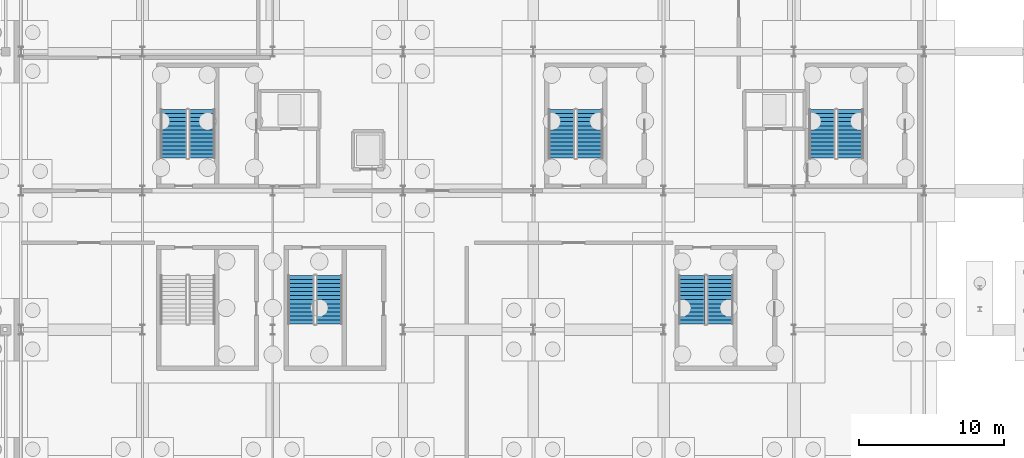
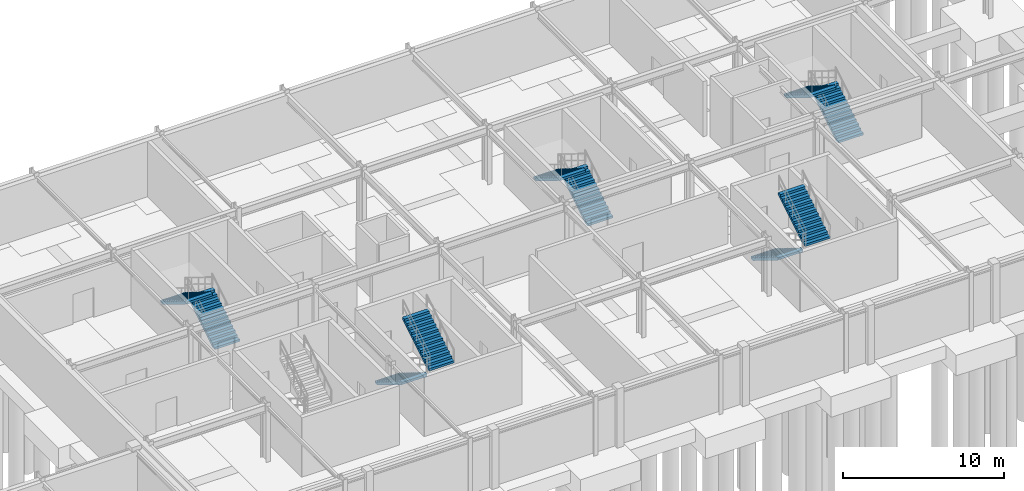
# One storey, part 48 of 59: 10 stair flights, 5 elements without a shape of their own.
"""IFC4 building model written with IfcOpenShell, lengths in metres."""

from ifc_helpers import new_model, si_unit, direction, frame, origin, place, context, subcontext, project, spatial, polyline, outline, extrude, material, type_object, element, aggregate, save


model = new_model("IFC4")

# Units and contexts
model_context = context("Model", 3, precision=1e-05, world=origin(), true_north=direction((0.0, 1.0)))
body_context = subcontext(model_context, "Body", "Model", "MODEL_VIEW")
ifc_project = project(units=[si_unit("LENGTHUNIT", "METRE"), si_unit("AREAUNIT", "SQUARE_METRE"), si_unit("VOLUMEUNIT", "CUBIC_METRE"), si_unit("PLANEANGLEUNIT", "RADIAN"), si_unit("MASSUNIT", "GRAM", prefix="KILO")], contexts=[model_context])

# Site, building, storey
site_placement = place(None, origin())
site = spatial("IfcSite", under=ifc_project, at=site_placement, CompositionType="ELEMENT")
building_placement = place(site_placement, origin())
building = spatial("IfcBuilding", under=site, at=building_placement, Name="Myrtia Square Station", CompositionType="ELEMENT")
storey_placement = place(building_placement, frame((0.0, 0.0, -4.5)))
storey = spatial("IfcBuildingStorey", under=building, at=storey_placement, Name="B01", CompositionType="ELEMENT", Elevation=-4.5)

# Stair, stair flights
ifc_material = material(Name="Concrete C35/45", Category="concrete")
stair_type = type_object("IfcStairType", Name="STR-01-26R-1800W", PredefinedType="HALF_TURN_STAIR", material=ifc_material)
stair_1_placement = place(storey_placement, origin())
stair_1 = element("IfcStair", 1, at=stair_1_placement, inside=storey, type_object=stair_type, Name="B01 Core escape stair ST07", PredefinedType="HALF_TURN_STAIR")
stair_flight_type = type_object("IfcStairFlightType", Name="STF-01-13R-1800W", PredefinedType="STRAIGHT", material=ifc_material)
stair_flight_1_placement = place(storey_placement, frame((130.110107421875, 107.85009765625, 0.0), z_axis=(0.0, 0.0, 1.0), x_axis=(0.0, 1.0, 0.0)))
stair_flight_1 = element("IfcStairFlight", 2, at=stair_flight_1_placement, type_object=stair_flight_type, Name="ST07 flight 1", NumberOfRisers=13, NumberOfTreads=12, PredefinedType="STRAIGHT", RiserHeight=0.173076923, TreadLength=0.28, context=body_context, shape_type="SweptSolid", body=[
    extrude(outline(polyline([(0.0, 0.0), (0.0, 0.173095703125), (0.280029296875, 0.173095703125), (0.280029296875, 0.34619140625), (0.56005859375, 0.34619140625), (0.56005859375, 0.519287109375), (0.840087890625, 0.519287109375), (0.840087890625, 0.6923828125), (1.1201171875, 0.6923828125), (1.1201171875, 0.865478515625), (1.39990234375, 0.865478515625), (1.39990234375, 1.03857421875), (1.679931640625, 1.03857421875), (1.679931640625, 1.21142578125), (1.9599609375, 1.21142578125), (1.9599609375, 1.384521484375), (2.239990234375, 1.384521484375), (2.239990234375, 1.5576171875), (2.52001953125, 1.5576171875), (2.52001953125, 1.730712890625), (2.800048828125, 1.730712890625), (2.800048828125, 1.90380859375), (3.080078125, 1.90380859375), (3.080078125, 2.076904296875), (3.360107421875, 2.076904296875), (3.360107421875, 2.25), (3.360107421875, 1.900634765625), (0.28515625, 0.0), (0.0, 0.0)])), frame((0.0, 0.89990234375, 0.0), z_axis=(0.0, -1.0, 0.0), x_axis=(1.0, 0.0, 0.0)), (0.0, 0.0, 1.0), 1.800048828125),
])
stair_flight_2_placement = place(storey_placement, frame((128.14990234375, 111.2099609375, 2.25), z_axis=(0.0, 0.0, 1.0), x_axis=(0.0, -1.0, 0.0)))
stair_flight_2 = element("IfcStairFlight", 3, at=stair_flight_2_placement, type_object=stair_flight_type, Name="ST07 flight 2", NumberOfRisers=13, NumberOfTreads=12, PredefinedType="STRAIGHT", RiserHeight=0.173076923, TreadLength=0.28, context=body_context, shape_type="SweptSolid", body=[
    extrude(outline(polyline([(0.0, 0.0), (0.0, 0.173095703125), (0.280029296875, 0.173095703125), (0.280029296875, 0.34619140625), (0.56005859375, 0.34619140625), (0.56005859375, 0.519287109375), (0.840087890625, 0.519287109375), (0.840087890625, 0.6923828125), (1.1201171875, 0.6923828125), (1.1201171875, 0.865478515625), (1.39990234375, 0.865478515625), (1.39990234375, 1.03857421875), (1.679931640625, 1.03857421875), (1.679931640625, 1.21142578125), (1.9599609375, 1.21142578125), (1.9599609375, 1.384521484375), (2.239990234375, 1.384521484375), (2.239990234375, 1.5576171875), (2.52001953125, 1.5576171875), (2.52001953125, 1.730712890625), (2.800048828125, 1.730712890625), (2.800048828125, 1.90380859375), (3.080078125, 1.90380859375), (3.080078125, 2.076904296875), (3.360107421875, 2.076904296875), (3.360107421875, 2.25), (3.360107421875, 1.900634765625), (0.28515625, 0.0), (0.0, 0.0)])), frame((0.0, 0.89990234375, 0.0), z_axis=(0.0, -1.0, 0.0), x_axis=(1.0, 0.0, 0.0)), (0.0, 0.0, 1.0), 1.800048828125),
])
aggregate(stair_1, [stair_flight_1, stair_flight_2])

stair_2_placement = place(storey_placement, origin())
stair_2 = element("IfcStair", 4, at=stair_2_placement, inside=storey, type_object=stair_type, Name="B01 Core escape stair ST08", PredefinedType="HALF_TURN_STAIR")
stair_flight_3_placement = place(storey_placement, frame((174.909912109375, 107.85009765625, 0.0), z_axis=(0.0, 0.0, 1.0), x_axis=(0.0, 1.0, 0.0)))
stair_flight_3 = element("IfcStairFlight", 5, at=stair_flight_3_placement, type_object=stair_flight_type, Name="ST08 flight 1", NumberOfRisers=13, NumberOfTreads=12, PredefinedType="STRAIGHT", RiserHeight=0.173076923, TreadLength=0.28, context=body_context, shape_type="SweptSolid", body=[
    extrude(outline(polyline([(0.0, 0.0), (0.0, 0.173095703125), (0.280029296875, 0.173095703125), (0.280029296875, 0.34619140625), (0.56005859375, 0.34619140625), (0.56005859375, 0.519287109375), (0.840087890625, 0.519287109375), (0.840087890625, 0.6923828125), (1.1201171875, 0.6923828125), (1.1201171875, 0.865478515625), (1.39990234375, 0.865478515625), (1.39990234375, 1.03857421875), (1.679931640625, 1.03857421875), (1.679931640625, 1.21142578125), (1.9599609375, 1.21142578125), (1.9599609375, 1.384521484375), (2.239990234375, 1.384521484375), (2.239990234375, 1.5576171875), (2.52001953125, 1.5576171875), (2.52001953125, 1.730712890625), (2.800048828125, 1.730712890625), (2.800048828125, 1.90380859375), (3.080078125, 1.90380859375), (3.080078125, 2.076904296875), (3.360107421875, 2.076904296875), (3.360107421875, 2.25), (3.360107421875, 1.900634765625), (0.28515625, 0.0), (0.0, 0.0)])), frame((0.0, 0.89990234375, 0.0), z_axis=(0.0, -1.0, 0.0), x_axis=(1.0, 0.0, 0.0)), (0.0, 0.0, 1.0), 1.800048828125),
])
stair_flight_4_placement = place(storey_placement, frame((172.949951171875, 111.2099609375, 2.25), z_axis=(0.0, 0.0, 1.0), x_axis=(0.0, -1.0, 0.0)))
stair_flight_4 = element("IfcStairFlight", 6, at=stair_flight_4_placement, type_object=stair_flight_type, Name="ST08 flight 2", NumberOfRisers=13, NumberOfTreads=12, PredefinedType="STRAIGHT", RiserHeight=0.173076923, TreadLength=0.28, context=body_context, shape_type="SweptSolid", body=[
    extrude(outline(polyline([(0.0, 0.0), (0.0, 0.173095703125), (0.280029296875, 0.173095703125), (0.280029296875, 0.34619140625), (0.56005859375, 0.34619140625), (0.56005859375, 0.519287109375), (0.840087890625, 0.519287109375), (0.840087890625, 0.6923828125), (1.1201171875, 0.6923828125), (1.1201171875, 0.865478515625), (1.39990234375, 0.865478515625), (1.39990234375, 1.03857421875), (1.679931640625, 1.03857421875), (1.679931640625, 1.21142578125), (1.9599609375, 1.21142578125), (1.9599609375, 1.384521484375), (2.239990234375, 1.384521484375), (2.239990234375, 1.5576171875), (2.52001953125, 1.5576171875), (2.52001953125, 1.730712890625), (2.800048828125, 1.730712890625), (2.800048828125, 1.90380859375), (3.080078125, 1.90380859375), (3.080078125, 2.076904296875), (3.360107421875, 2.076904296875), (3.360107421875, 2.25), (3.360107421875, 1.900634765625), (0.28515625, 0.0), (0.0, 0.0)])), frame((0.0, 0.89990234375, 0.0), z_axis=(0.0, -1.0, 0.0), x_axis=(1.0, 0.0, 0.0)), (0.0, 0.0, 1.0), 1.800048828125),
])
aggregate(stair_2, [stair_flight_3, stair_flight_4])

stair_3_placement = place(storey_placement, origin())
stair_3 = element("IfcStair", 7, at=stair_3_placement, inside=storey, type_object=stair_type, Name="B01 Core escape stair ST13", PredefinedType="HALF_TURN_STAIR")
stair_flight_5_placement = place(storey_placement, frame((136.949951171875, 99.75, 0.0), z_axis=(0.0, 0.0, 1.0), x_axis=(0.0, -1.0, 0.0)))
stair_flight_5 = element("IfcStairFlight", 8, at=stair_flight_5_placement, type_object=stair_flight_type, Name="ST13 flight 1", NumberOfRisers=13, NumberOfTreads=12, PredefinedType="STRAIGHT", RiserHeight=0.173076923, TreadLength=0.28, context=body_context, shape_type="SweptSolid", body=[
    extrude(outline(polyline([(0.0, 0.0), (0.0, 0.173095703125), (0.280029296875, 0.173095703125), (0.280029296875, 0.34619140625), (0.56005859375, 0.34619140625), (0.56005859375, 0.519287109375), (0.840087890625, 0.519287109375), (0.840087890625, 0.6923828125), (1.1201171875, 0.6923828125), (1.1201171875, 0.865478515625), (1.39990234375, 0.865478515625), (1.39990234375, 1.03857421875), (1.679931640625, 1.03857421875), (1.679931640625, 1.21142578125), (1.9599609375, 1.21142578125), (1.9599609375, 1.384521484375), (2.239990234375, 1.384521484375), (2.239990234375, 1.5576171875), (2.52001953125, 1.5576171875), (2.52001953125, 1.730712890625), (2.800048828125, 1.730712890625), (2.800048828125, 1.90380859375), (3.080078125, 1.90380859375), (3.080078125, 2.076904296875), (3.360107421875, 2.076904296875), (3.360107421875, 2.25), (3.360107421875, 1.900634765625), (0.28515625, 0.0), (0.0, 0.0)])), frame((0.0, 0.89990234375, 0.0), z_axis=(0.0, -1.0, 0.0), x_axis=(1.0, 0.0, 0.0)), (0.0, 0.0, 1.0), 1.800048828125),
])
stair_flight_6_placement = place(storey_placement, frame((138.909912109375, 96.389892578125, 2.25), z_axis=(0.0, 0.0, 1.0), x_axis=(0.0, 1.0, 0.0)))
stair_flight_6 = element("IfcStairFlight", 9, at=stair_flight_6_placement, type_object=stair_flight_type, Name="ST13 flight 2", NumberOfRisers=13, NumberOfTreads=12, PredefinedType="STRAIGHT", RiserHeight=0.173076923, TreadLength=0.28, context=body_context, shape_type="SweptSolid", body=[
    extrude(outline(polyline([(0.0, 0.0), (0.0, 0.173095703125), (0.280029296875, 0.173095703125), (0.280029296875, 0.34619140625), (0.56005859375, 0.34619140625), (0.56005859375, 0.519287109375), (0.840087890625, 0.519287109375), (0.840087890625, 0.6923828125), (1.1201171875, 0.6923828125), (1.1201171875, 0.865478515625), (1.39990234375, 0.865478515625), (1.39990234375, 1.03857421875), (1.679931640625, 1.03857421875), (1.679931640625, 1.21142578125), (1.9599609375, 1.21142578125), (1.9599609375, 1.384521484375), (2.239990234375, 1.384521484375), (2.239990234375, 1.5576171875), (2.52001953125, 1.5576171875), (2.52001953125, 1.730712890625), (2.800048828125, 1.730712890625), (2.800048828125, 1.90380859375), (3.080078125, 1.90380859375), (3.080078125, 2.076904296875), (3.360107421875, 2.076904296875), (3.360107421875, 2.25), (3.360107421875, 1.900634765625), (0.28515625, 0.0), (0.0, 0.0)])), frame((0.0, 0.89990234375, 0.0), z_axis=(0.0, -1.0, 0.0), x_axis=(1.0, 0.0, 0.0)), (0.0, 0.0, 1.0), 1.800048828125),
])
aggregate(stair_3, [stair_flight_5, stair_flight_6])

stair_4_placement = place(storey_placement, origin())
stair_4 = element("IfcStair", 10, at=stair_4_placement, inside=storey, type_object=stair_type, Name="B01 Core escape stair ST15", PredefinedType="HALF_TURN_STAIR")
stair_flight_7_placement = place(storey_placement, frame((156.909912109375, 107.85009765625, 0.0), z_axis=(0.0, 0.0, 1.0), x_axis=(0.0, 1.0, 0.0)))
stair_flight_7 = element("IfcStairFlight", 11, at=stair_flight_7_placement, type_object=stair_flight_type, Name="ST15 flight 1", NumberOfRisers=13, NumberOfTreads=12, PredefinedType="STRAIGHT", RiserHeight=0.173076923, TreadLength=0.28, context=body_context, shape_type="SweptSolid", body=[
    extrude(outline(polyline([(0.0, 0.0), (0.0, 0.173095703125), (0.280029296875, 0.173095703125), (0.280029296875, 0.34619140625), (0.56005859375, 0.34619140625), (0.56005859375, 0.519287109375), (0.840087890625, 0.519287109375), (0.840087890625, 0.6923828125), (1.1201171875, 0.6923828125), (1.1201171875, 0.865478515625), (1.39990234375, 0.865478515625), (1.39990234375, 1.03857421875), (1.679931640625, 1.03857421875), (1.679931640625, 1.21142578125), (1.9599609375, 1.21142578125), (1.9599609375, 1.384521484375), (2.239990234375, 1.384521484375), (2.239990234375, 1.5576171875), (2.52001953125, 1.5576171875), (2.52001953125, 1.730712890625), (2.800048828125, 1.730712890625), (2.800048828125, 1.90380859375), (3.080078125, 1.90380859375), (3.080078125, 2.076904296875), (3.360107421875, 2.076904296875), (3.360107421875, 2.25), (3.360107421875, 1.900634765625), (0.28515625, 0.0), (0.0, 0.0)])), frame((0.0, 0.89990234375, 0.0), z_axis=(0.0, -1.0, 0.0), x_axis=(1.0, 0.0, 0.0)), (0.0, 0.0, 1.0), 1.800048828125),
])
stair_flight_8_placement = place(storey_placement, frame((154.949951171875, 111.2099609375, 2.25), z_axis=(0.0, 0.0, 1.0), x_axis=(0.0, -1.0, 0.0)))
stair_flight_8 = element("IfcStairFlight", 12, at=stair_flight_8_placement, type_object=stair_flight_type, Name="ST15 flight 2", NumberOfRisers=13, NumberOfTreads=12, PredefinedType="STRAIGHT", RiserHeight=0.173076923, TreadLength=0.28, context=body_context, shape_type="SweptSolid", body=[
    extrude(outline(polyline([(0.0, 0.0), (0.0, 0.173095703125), (0.280029296875, 0.173095703125), (0.280029296875, 0.34619140625), (0.56005859375, 0.34619140625), (0.56005859375, 0.519287109375), (0.840087890625, 0.519287109375), (0.840087890625, 0.6923828125), (1.1201171875, 0.6923828125), (1.1201171875, 0.865478515625), (1.39990234375, 0.865478515625), (1.39990234375, 1.03857421875), (1.679931640625, 1.03857421875), (1.679931640625, 1.21142578125), (1.9599609375, 1.21142578125), (1.9599609375, 1.384521484375), (2.239990234375, 1.384521484375), (2.239990234375, 1.5576171875), (2.52001953125, 1.5576171875), (2.52001953125, 1.730712890625), (2.800048828125, 1.730712890625), (2.800048828125, 1.90380859375), (3.080078125, 1.90380859375), (3.080078125, 2.076904296875), (3.360107421875, 2.076904296875), (3.360107421875, 2.25), (3.360107421875, 1.900634765625), (0.28515625, 0.0), (0.0, 0.0)])), frame((0.0, 0.89990234375, 0.0), z_axis=(0.0, -1.0, 0.0), x_axis=(1.0, 0.0, 0.0)), (0.0, 0.0, 1.0), 1.800048828125),
])
aggregate(stair_4, [stair_flight_7, stair_flight_8])

stair_5_placement = place(storey_placement, origin())
stair_5 = element("IfcStair", 13, at=stair_5_placement, inside=storey, type_object=stair_type, Name="B01 Core escape stair ST16", PredefinedType="HALF_TURN_STAIR")
stair_flight_9_placement = place(storey_placement, frame((163.949951171875, 99.75, 0.0), z_axis=(0.0, 0.0, 1.0), x_axis=(0.0, -1.0, 0.0)))
stair_flight_9 = element("IfcStairFlight", 14, at=stair_flight_9_placement, type_object=stair_flight_type, Name="ST16 flight 1", NumberOfRisers=13, NumberOfTreads=12, PredefinedType="STRAIGHT", RiserHeight=0.173076923, TreadLength=0.28, context=body_context, shape_type="SweptSolid", body=[
    extrude(outline(polyline([(0.0, 0.0), (0.0, 0.173095703125), (0.280029296875, 0.173095703125), (0.280029296875, 0.34619140625), (0.56005859375, 0.34619140625), (0.56005859375, 0.519287109375), (0.840087890625, 0.519287109375), (0.840087890625, 0.6923828125), (1.1201171875, 0.6923828125), (1.1201171875, 0.865478515625), (1.39990234375, 0.865478515625), (1.39990234375, 1.03857421875), (1.679931640625, 1.03857421875), (1.679931640625, 1.21142578125), (1.9599609375, 1.21142578125), (1.9599609375, 1.384521484375), (2.239990234375, 1.384521484375), (2.239990234375, 1.5576171875), (2.52001953125, 1.5576171875), (2.52001953125, 1.730712890625), (2.800048828125, 1.730712890625), (2.800048828125, 1.90380859375), (3.080078125, 1.90380859375), (3.080078125, 2.076904296875), (3.360107421875, 2.076904296875), (3.360107421875, 2.25), (3.360107421875, 1.900634765625), (0.28515625, 0.0), (0.0, 0.0)])), frame((0.0, 0.89990234375, 0.0), z_axis=(0.0, -1.0, 0.0), x_axis=(1.0, 0.0, 0.0)), (0.0, 0.0, 1.0), 1.800048828125),
])
stair_flight_10_placement = place(storey_placement, frame((165.909912109375, 96.389892578125, 2.25), z_axis=(0.0, 0.0, 1.0), x_axis=(0.0, 1.0, 0.0)))
stair_flight_10 = element("IfcStairFlight", 15, at=stair_flight_10_placement, type_object=stair_flight_type, Name="ST16 flight 2", NumberOfRisers=13, NumberOfTreads=12, PredefinedType="STRAIGHT", RiserHeight=0.173076923, TreadLength=0.28, context=body_context, shape_type="SweptSolid", body=[
    extrude(outline(polyline([(0.0, 0.0), (0.0, 0.173095703125), (0.280029296875, 0.173095703125), (0.280029296875, 0.34619140625), (0.56005859375, 0.34619140625), (0.56005859375, 0.519287109375), (0.840087890625, 0.519287109375), (0.840087890625, 0.6923828125), (1.1201171875, 0.6923828125), (1.1201171875, 0.865478515625), (1.39990234375, 0.865478515625), (1.39990234375, 1.03857421875), (1.679931640625, 1.03857421875), (1.679931640625, 1.21142578125), (1.9599609375, 1.21142578125), (1.9599609375, 1.384521484375), (2.239990234375, 1.384521484375), (2.239990234375, 1.5576171875), (2.52001953125, 1.5576171875), (2.52001953125, 1.730712890625), (2.800048828125, 1.730712890625), (2.800048828125, 1.90380859375), (3.080078125, 1.90380859375), (3.080078125, 2.076904296875), (3.360107421875, 2.076904296875), (3.360107421875, 2.25), (3.360107421875, 1.900634765625), (0.28515625, 0.0), (0.0, 0.0)])), frame((0.0, 0.89990234375, 0.0), z_axis=(0.0, -1.0, 0.0), x_axis=(1.0, 0.0, 0.0)), (0.0, 0.0, 1.0), 1.800048828125),
])
aggregate(stair_5, [stair_flight_9, stair_flight_10])

save(model, "model.ifc")
